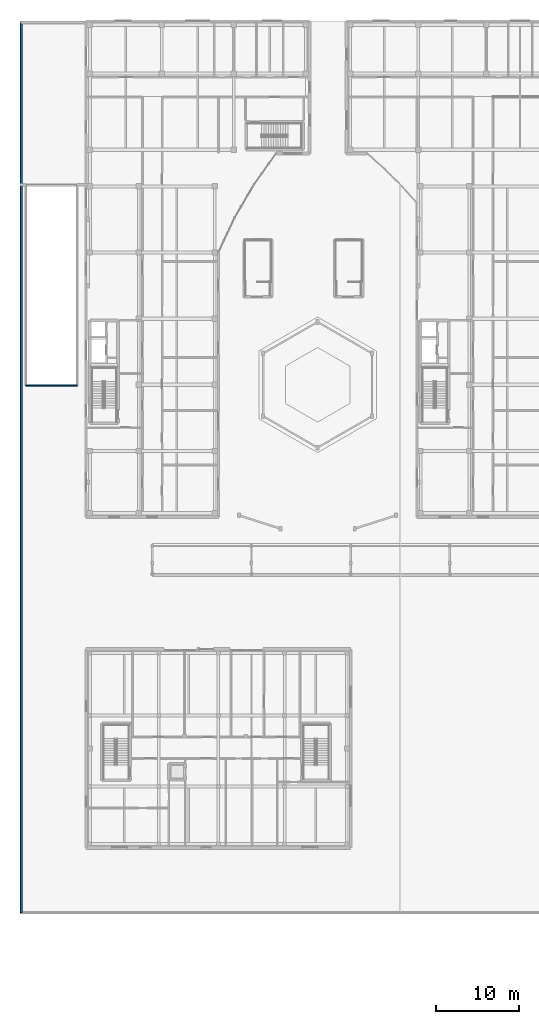
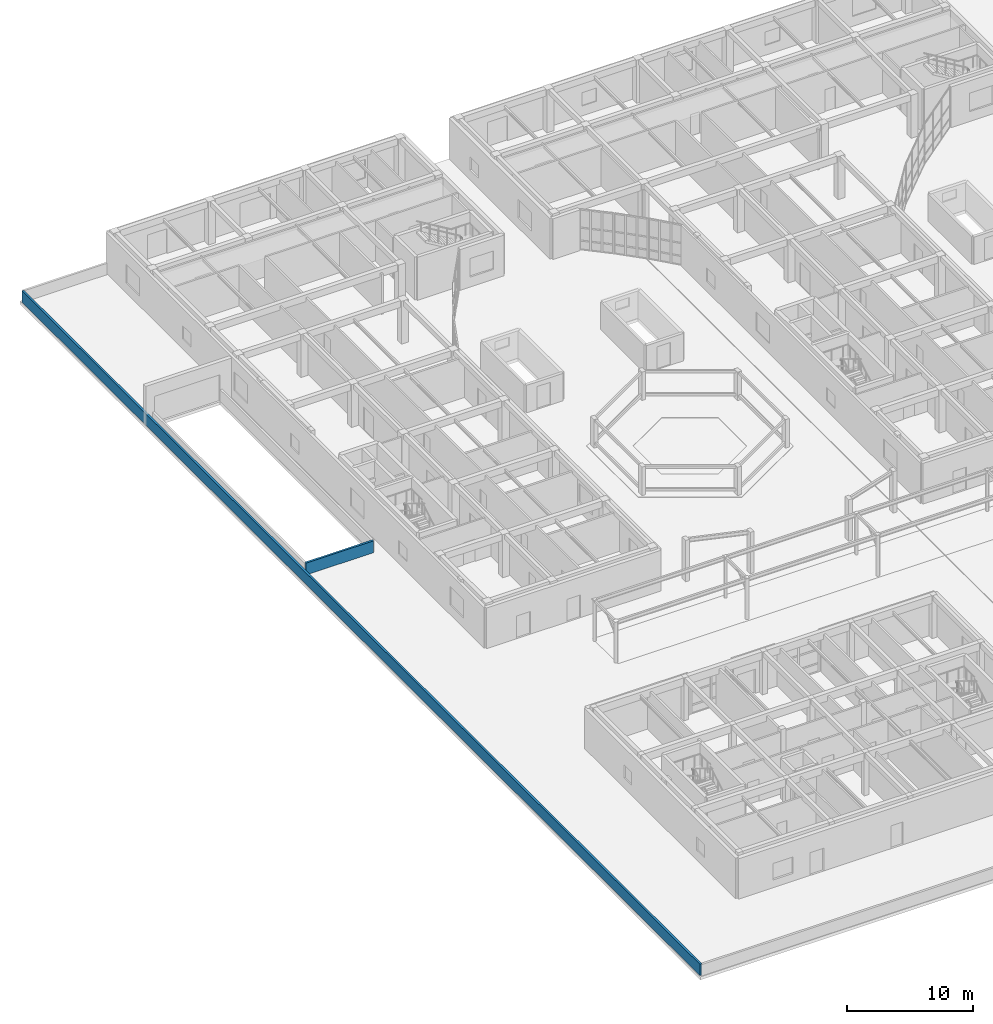
# One storey, part 75 of 114: 2 walls.
"""IFC4 building model written with IfcOpenShell, lengths in metres."""

import ifcopenshell
import ifcopenshell.guid

model = None  # the IFC model being written
_history = None  # IfcOwnerHistory: only IFC2X3 demands one
_inside = {}  # id of a spatial element -> (the spatial element, [elements in it])
_under = {}  # id of a project, library or spatial element -> (it, [spatial elements below it])
_declared = {}  # id of a project -> (the project, [libraries it declares])
_typed = {}  # id of a type object -> (the type object, [elements of that type])
_made_of = {}  # id of a material, layer set ... -> (it, [elements and type objects made of it])


def new_model(schema):
    """Start an empty IFC model of exactly this schema.

    Asked for "IFC4X3", IfcOpenShell would pick the latest addendum, in which some entities
    have other attributes; the version numbers below select the first issue.
    IFC2X3 requires an IfcOwnerHistory on every rooted entity: one is made here for all.
    """
    global model, _history
    if schema == "IFC4X3":
        model = ifcopenshell.file(schema_version=(4, 3, 0, 0))
    else:
        model = ifcopenshell.file(schema=schema)
    _inside.clear()
    _under.clear()
    _declared.clear()
    _typed.clear()
    _made_of.clear()
    _history = None
    if model.schema == "IFC2X3":
        org = make("IfcOrganization", Name="unknown")
        user = make(
            "IfcPersonAndOrganization",
            ThePerson=make("IfcPerson", FamilyName="unknown"),
            TheOrganization=org,
        )
        app = make(
            "IfcApplication",
            ApplicationDeveloper=org,
            Version="unknown",
            ApplicationFullName="unknown",
            ApplicationIdentifier="unknown",
        )
        _history = make(
            "IfcOwnerHistory",
            OwningUser=user,
            OwningApplication=app,
            ChangeAction="ADDED",
            CreationDate=0,
        )
    return model


def make(cls, **values):
    """One entity of the class cls with the attributes given. An attribute that is None is left unset."""
    return model.create_entity(
        cls, **{name: value for name, value in values.items() if value is not None}
    )


def rooted(cls, **values):
    """An entity with a GlobalId (a new one), such as an element, a storey or a relation."""
    return make(cls, GlobalId=ifcopenshell.guid.new(), OwnerHistory=_history, **values)


def si_unit(unit_type, name, prefix=None):
    """IfcSIUnit, for example si_unit("LENGTHUNIT", "METRE", prefix="MILLI")."""
    return make("IfcSIUnit", UnitType=unit_type, Prefix=prefix, Name=name)


def assignment(units):
    """IfcUnitAssignment: the units of a project."""
    return None if units is None else make("IfcUnitAssignment", Units=units)


def point(xyz):
    """IfcCartesianPoint."""
    return None if xyz is None else make("IfcCartesianPoint", Coordinates=xyz)


def direction(xyz):
    """IfcDirection."""
    return None if xyz is None else make("IfcDirection", DirectionRatios=xyz)


def frame(location, z_axis=None, x_axis=None):
    """IfcAxis2Placement3D, a coordinate frame: its origin and axes. An axis left out is left unset."""
    return make(
        "IfcAxis2Placement3D",
        Location=point(location),
        Axis=direction(z_axis),
        RefDirection=direction(x_axis),
    )


def frame_2d(location, x_axis=None):
    """IfcAxis2Placement2D, a coordinate frame in the plane: its origin and x axis."""
    return make(
        "IfcAxis2Placement2D", Location=point(location), RefDirection=direction(x_axis)
    )


def origin():
    """The frame at (0, 0, 0) with its axes left unset."""
    return frame((0.0, 0.0, 0.0))


def place(relative_to, where):
    """IfcLocalPlacement: puts the frame where relative to a parent placement (None: the world)."""
    return make(
        "IfcLocalPlacement", PlacementRelTo=relative_to, RelativePlacement=where
    )


def context(
    kind, dimensions, precision=None, world=None, true_north=None, identifier=None
):
    """IfcGeometricRepresentationContext, for example the 3D "Model" context."""
    return make(
        "IfcGeometricRepresentationContext",
        ContextIdentifier=identifier,
        ContextType=kind,
        CoordinateSpaceDimension=dimensions,
        Precision=precision,
        WorldCoordinateSystem=world,
        TrueNorth=true_north,
    )


def subcontext(parent, identifier, kind, view, scale=None):
    """IfcGeometricRepresentationSubContext, for example "Body" below "Model"."""
    return make(
        "IfcGeometricRepresentationSubContext",
        ContextIdentifier=identifier,
        ContextType=kind,
        ParentContext=parent,
        TargetScale=scale,
        TargetView=view,
    )


def project(units=None, contexts=None):
    """IfcProject with its units and contexts."""
    return rooted(
        "IfcProject",
        Name="project",
        RepresentationContexts=contexts,
        UnitsInContext=assignment(units),
    )


def spatial(cls, under=None, at=None, **own):
    """A site, building, storey or space (cls), placed at a placement, below another one or the project."""
    s = rooted(cls, ObjectPlacement=at, **own)
    if under is not None:
        _under.setdefault(under.id(), (under, []))[1].append(s)
    return s


def profile(cls, at=None, kind="AREA", **sizes):
    """A parametric profile (cls). Its sizes go by their IFC names, for example OverallWidth=200.0."""
    return make(cls, ProfileType=kind, Position=at, **sizes)


def rectangle(**sizes):
    """IfcRectangleProfileDef."""
    return profile("IfcRectangleProfileDef", **sizes)


def extrude(swept, where, along, depth):
    """IfcExtrudedAreaSolid: the profile swept, set in the frame where, extruded along a direction by depth."""
    return make(
        "IfcExtrudedAreaSolid",
        SweptArea=swept,
        Position=where,
        ExtrudedDirection=direction(along),
        Depth=depth,
    )


def shape(context_of_items, identifier, shape_type, items):
    """IfcShapeRepresentation: the items that make up one representation, for example the "Body"."""
    return make(
        "IfcShapeRepresentation",
        ContextOfItems=context_of_items,
        RepresentationIdentifier=identifier,
        RepresentationType=shape_type,
        Items=items,
    )


def material(Name=None, Category=None):
    """IfcMaterial."""
    return make("IfcMaterial", Name=Name, Category=Category)


def layer(
    of_material, thickness, ventilated=None, Name=None, Category=None, Priority=None
):
    """IfcMaterialLayer: one layer of a wall or slab, of a material (None: an air gap)."""
    return make(
        "IfcMaterialLayer",
        Material=of_material,
        LayerThickness=thickness,
        IsVentilated=ventilated,
        Name=Name,
        Category=Category,
        Priority=Priority,
    )


def layer_set(layers, Name=None):
    """IfcMaterialLayerSet."""
    return make("IfcMaterialLayerSet", MaterialLayers=layers, LayerSetName=Name)


def made_of(thing, what):
    """Note that an element or type object is made of a material, layer set ...; save() writes the relation."""
    if what is not None:
        _made_of.setdefault(what.id(), (what, []))[1].append(thing)
    return thing


def type_object(cls, material=None, **own):
    """A type object (cls), such as IfcWallType, which elements share."""
    return made_of(rooted(cls, **own), material)


def element(
    cls,
    number,
    at=None,
    inside=None,
    cuts=None,
    type_object=None,
    material=None,
    context=None,
    identifier="Body",
    shape_type=None,
    held_by="IfcProductDefinitionShape",
    body=None,
    shapes=None,
    **own,
):
    """One element of the class cls, such as IfcWall. Its Tag is "e" and its number.

    at: its placement. inside: the storey or other place that contains it. cuts: it is an
    opening in that element (IfcRelVoidsElement). A single representation is given by context,
    identifier, shape_type and body (its items); several are given by shapes. held_by: the class
    of the entity that holds the representations. save() writes the other relations.
    """
    e = rooted(cls, Tag="e%d" % number, ObjectPlacement=at, **own)
    if body is not None:
        shapes = [shape(context, identifier, shape_type, body)]
    if shapes is not None:
        e.Representation = make(held_by, Representations=shapes)
    if inside is not None:
        _inside.setdefault(inside.id(), (inside, []))[1].append(e)
    if cuts is not None:
        rooted(
            "IfcRelVoidsElement", RelatingBuildingElement=cuts, RelatedOpeningElement=e
        )
    if type_object is not None:
        _typed.setdefault(type_object.id(), (type_object, []))[1].append(e)
    return made_of(e, material)


def aggregate(whole, parts):
    """IfcRelAggregates: a whole, such as a stair, and the parts it consists of."""
    return rooted("IfcRelAggregates", RelatingObject=whole, RelatedObjects=parts)


def save(model, path):
    """Write the relations noted so far, then the file.

    IfcRelAggregates (storeys below a building ...), IfcRelContainedInSpatialStructure (elements
    in a storey), IfcRelDefinesByType, IfcRelAssociatesMaterial and IfcRelDeclares: one each for
    every whole, place, type object, material and project.
    """
    for whole, parts in _under.values():
        aggregate(whole, parts)
    for where, things in _inside.values():
        rooted(
            "IfcRelContainedInSpatialStructure",
            RelatedElements=things,
            RelatingStructure=where,
        )
    for kind, things in _typed.values():
        rooted("IfcRelDefinesByType", RelatedObjects=things, RelatingType=kind)
    for what, things in _made_of.values():
        rooted("IfcRelAssociatesMaterial", RelatedObjects=things, RelatingMaterial=what)
    for by, libraries in _declared.values():
        rooted("IfcRelDeclares", RelatingContext=by, RelatedDefinitions=libraries)
    model.write(path)


model = new_model("IFC4")

# Units and contexts
model_context = context("Model", 3, precision=1e-05, world=origin(), true_north=direction((0.0, 1.0)))
body_context = subcontext(model_context, "Body", "Model", "MODEL_VIEW")
ifc_project = project(units=[si_unit("LENGTHUNIT", "METRE"), si_unit("AREAUNIT", "SQUARE_METRE"), si_unit("VOLUMEUNIT", "CUBIC_METRE"), si_unit("PLANEANGLEUNIT", "RADIAN"), si_unit("MASSUNIT", "GRAM", prefix="KILO")], contexts=[model_context])

# Site, building, storey
site_placement = place(None, origin())
site = spatial("IfcSite", under=ifc_project, at=site_placement, CompositionType="ELEMENT")
building_placement = place(site_placement, origin())
building = spatial("IfcBuilding", under=site, at=building_placement, Name="Keldmere Railside Commons", CompositionType="ELEMENT")
storey_placement = place(building_placement, origin())
storey = spatial("IfcBuildingStorey", under=building, at=storey_placement, Name="L00", CompositionType="ELEMENT", Elevation=0.0)

# Walls
ifc_material = material(Name="Architectural Precast Concrete H-35 (C35/45)", Category="concrete")
ifc_layer = layer(ifc_material, 0.18994140625, Name="Roof Parapet Wall 190")
ifc_layer_set = layer_set([ifc_layer], Name="Architectural Precast Concrete H-35 (C35/45)")
wall_type = type_object("IfcWallType", Name="Roof Parapet Wall 190", PredefinedType="PARAPET", material=ifc_layer_set)
wall_1_placement = place(storey_placement, frame((0.14990234375, 115.800048828125, 0.0), z_axis=(0.0, 0.0, 1.0), x_axis=(0.0, -1.0, 0.0)))
element("IfcWall", 1, at=wall_1_placement, inside=storey, type_object=wall_type, Name="PW-1 PLP-L00-0009", PredefinedType="PARAPET", context=body_context, shape_type="SweptSolid", body=[
    extrude(rectangle(XDim=107.650146484375, YDim=0.18994140625, at=frame_2d((53.8251953125, 0.0))), origin(), (0.0, 0.0, 1.0), 1.10009765625),
])
wall_2_placement = place(storey_placement, frame((0.699951171875, 71.89990234375, 0.0), z_axis=(0.0, 0.0, 1.0), x_axis=(1.0, 0.0, 0.0)))
element("IfcWall", 2, at=wall_2_placement, inside=storey, type_object=wall_type, Name="PW-1 WAL-RAMP-PAR-S", PredefinedType="PARAPET", context=body_context, shape_type="SweptSolid", body=[
    extrude(rectangle(XDim=6.199951171875, YDim=0.18994140625, at=frame_2d((3.10009765625, 0.0))), origin(), (0.0, 0.0, 1.0), 1.14990234375),
])

save(model, "model.ifc")
